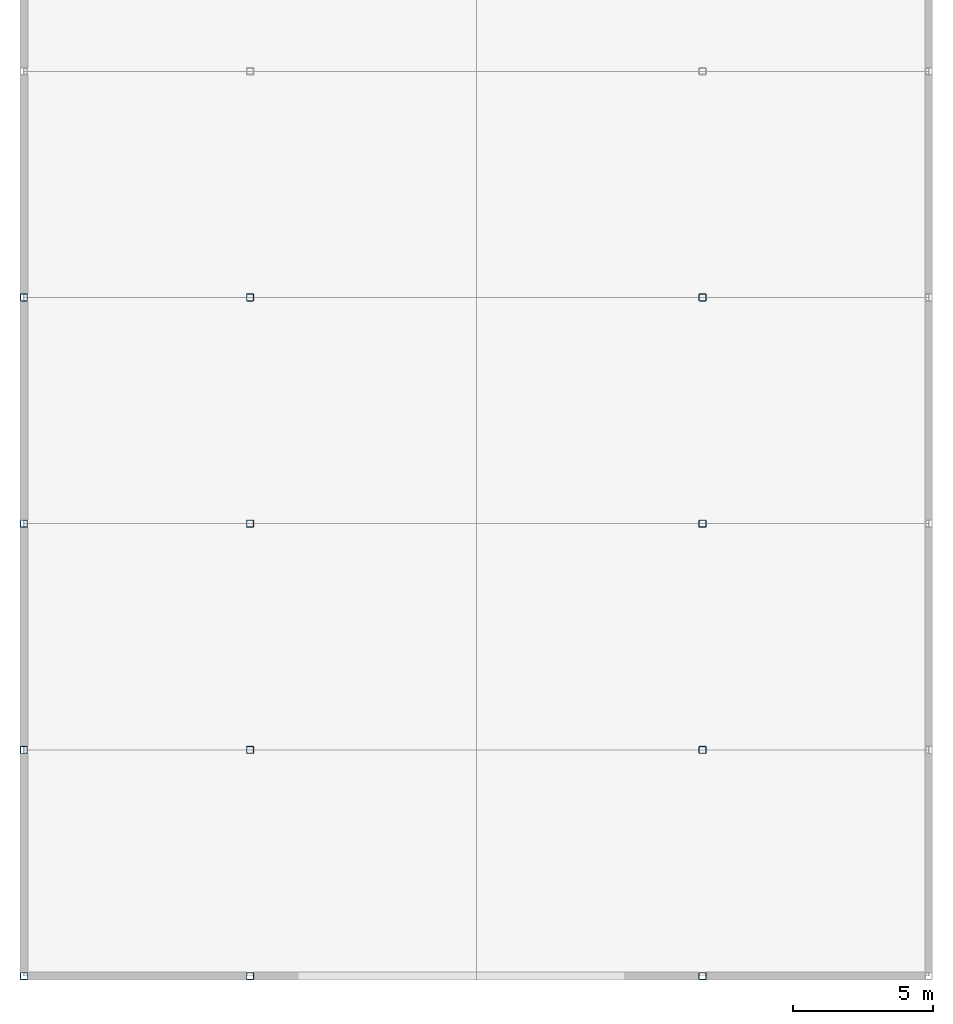
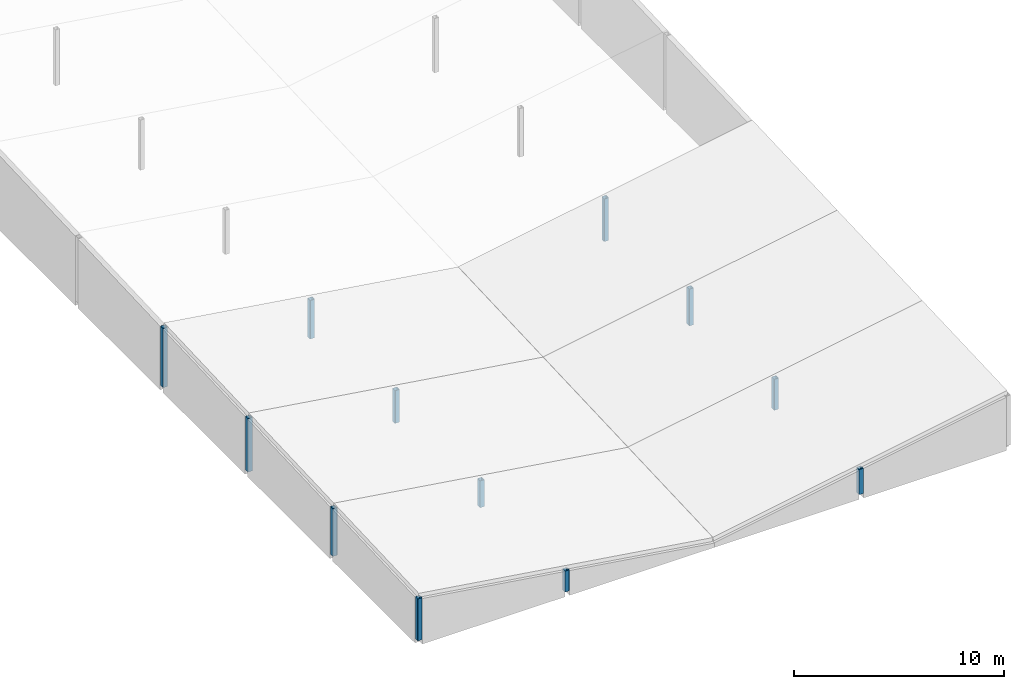
# One storey, part 1 of 8: 12 columns.
"""IFC4 building model written with IfcOpenShell, lengths in metres."""

from ifc_helpers import new_model, si_unit, direction, frame, origin, origin_2d, place, context, subcontext, project, spatial, hollow_rectangle, extrude, material, material_profile, profile_set, type_object, element, save


model = new_model("IFC4")

# Units and contexts
model_context = context("Model", 3, precision=1e-05, world=origin(), true_north=direction((0.0, 1.0)))
body_context = subcontext(model_context, "Body", "Model", "MODEL_VIEW")
ifc_project = project(units=[si_unit("LENGTHUNIT", "METRE"), si_unit("AREAUNIT", "SQUARE_METRE"), si_unit("VOLUMEUNIT", "CUBIC_METRE"), si_unit("PLANEANGLEUNIT", "RADIAN"), si_unit("MASSUNIT", "GRAM", prefix="KILO")], contexts=[model_context])

# Site, building, storey
site_placement = place(None, origin())
site = spatial("IfcSite", under=ifc_project, at=site_placement, CompositionType="ELEMENT")
building_placement = place(site_placement, origin())
building = spatial("IfcBuilding", under=site, at=building_placement, Name="Vaudrelin Polytechnic", CompositionType="ELEMENT")
storey_placement = place(building_placement, frame((0.0, 0.0, 36.2099609375)))
storey = spatial("IfcBuildingStorey", under=building, at=storey_placement, Name="ROOF", CompositionType="ELEMENT", Elevation=36.2099609375)

# Columns
ifc_material = material(Name="Steel CSA G40.21 350W", Category="steel")
ifc_material_profile = material_profile(ifc_material, hollow_rectangle(XDim=0.25390625, YDim=0.25390625, WallThickness=0.0126953125, InnerFilletRadius=0.0126953125, OuterFilletRadius=0.025390625, at=origin_2d()), Name="HSS254x254x12.7")
ifc_profile_set = profile_set([ifc_material_profile], Name="Steel CSA G40.21 350W")
column_type = type_object("IfcColumnType", Name="COL-C-HSS254", PredefinedType="COLUMN", material=ifc_profile_set)
column_1_placement = place(storey_placement, frame((137.699951171875, 32.39990234375, 0.0), z_axis=(0.0, 0.0, 1.0), x_axis=(1.0, 0.0, 0.0)))
element("IfcColumn", 1, at=column_1_placement, inside=storey, type_object=column_type, Name="Laboratory roof edge post 17-4", PredefinedType="COLUMN", context=body_context, shape_type="SweptSolid", body=[
    extrude(hollow_rectangle(XDim=0.25390625, YDim=0.25390625, WallThickness=0.0126953125, InnerFilletRadius=0.0126953125, OuterFilletRadius=0.025390625, at=origin_2d()), origin(), (0.0, 0.0, 1.0), 2.43115234375),
])
column_2_placement = place(storey_placement, frame((145.800048828125, 32.39990234375, 0.0), z_axis=(0.0, 0.0, 1.0), x_axis=(1.0, 0.0, 0.0)))
element("IfcColumn", 2, at=column_2_placement, inside=storey, type_object=column_type, Name="Laboratory roof edge post 18-4", PredefinedType="COLUMN", context=body_context, shape_type="SweptSolid", body=[
    extrude(hollow_rectangle(XDim=0.25390625, YDim=0.25390625, WallThickness=0.0126953125, InnerFilletRadius=0.0126953125, OuterFilletRadius=0.025390625, at=origin_2d()), origin(), (0.0, 0.0, 1.0), 1.220458984375),
])
column_3_placement = place(storey_placement, frame((162.0, 32.39990234375, 0.0), z_axis=(0.0, 0.0, 1.0), x_axis=(1.0, 0.0, 0.0)))
element("IfcColumn", 3, at=column_3_placement, inside=storey, type_object=column_type, Name="Laboratory roof edge post 20-4", PredefinedType="COLUMN", context=body_context, shape_type="SweptSolid", body=[
    extrude(hollow_rectangle(XDim=0.25390625, YDim=0.25390625, WallThickness=0.0126953125, InnerFilletRadius=0.0126953125, OuterFilletRadius=0.025390625, at=origin_2d()), origin(), (0.0, 0.0, 1.0), 1.46044921875),
])
column_4_placement = place(storey_placement, frame((137.699951171875, 40.5, 0.0), z_axis=(0.0, 0.0, 1.0), x_axis=(1.0, 0.0, 0.0)))
element("IfcColumn", 4, at=column_4_placement, inside=storey, type_object=column_type, Name="Laboratory roof edge post 17-5", PredefinedType="COLUMN", context=body_context, shape_type="SweptSolid", body=[
    extrude(hollow_rectangle(XDim=0.25390625, YDim=0.25390625, WallThickness=0.0126953125, InnerFilletRadius=0.0126953125, OuterFilletRadius=0.025390625, at=origin_2d()), origin(), (0.0, 0.0, 1.0), 2.771240234375),
])
column_5_placement = place(storey_placement, frame((145.800048828125, 40.5, 0.0), z_axis=(0.0, 0.0, 1.0), x_axis=(1.0, 0.0, 0.0)))
element("IfcColumn", 5, at=column_5_placement, inside=storey, type_object=column_type, Name="Laboratory roof edge post 18-5", PredefinedType="COLUMN", context=body_context, shape_type="SweptSolid", body=[
    extrude(hollow_rectangle(XDim=0.25390625, YDim=0.25390625, WallThickness=0.0126953125, InnerFilletRadius=0.0126953125, OuterFilletRadius=0.025390625, at=origin_2d()), origin(), (0.0, 0.0, 1.0), 1.560791015625),
])
column_6_placement = place(storey_placement, frame((162.0, 40.5, 0.0), z_axis=(0.0, 0.0, 1.0), x_axis=(1.0, 0.0, 0.0)))
element("IfcColumn", 6, at=column_6_placement, inside=storey, type_object=column_type, Name="Laboratory roof edge post 20-5", PredefinedType="COLUMN", context=body_context, shape_type="SweptSolid", body=[
    extrude(hollow_rectangle(XDim=0.25390625, YDim=0.25390625, WallThickness=0.0126953125, InnerFilletRadius=0.0126953125, OuterFilletRadius=0.025390625, at=origin_2d()), origin(), (0.0, 0.0, 1.0), 1.80078125),
])
column_7_placement = place(storey_placement, frame((137.699951171875, 48.60009765625, 0.0), z_axis=(0.0, 0.0, 1.0), x_axis=(1.0, 0.0, 0.0)))
element("IfcColumn", 7, at=column_7_placement, inside=storey, type_object=column_type, Name="Laboratory roof edge post 17-6", PredefinedType="COLUMN", context=body_context, shape_type="SweptSolid", body=[
    extrude(hollow_rectangle(XDim=0.25390625, YDim=0.25390625, WallThickness=0.0126953125, InnerFilletRadius=0.0126953125, OuterFilletRadius=0.025390625, at=origin_2d()), origin(), (0.0, 0.0, 1.0), 3.111572265625),
])
column_8_placement = place(storey_placement, frame((145.800048828125, 48.60009765625, 0.0), z_axis=(0.0, 0.0, 1.0), x_axis=(1.0, 0.0, 0.0)))
element("IfcColumn", 8, at=column_8_placement, inside=storey, type_object=column_type, Name="Laboratory roof edge post 18-6", PredefinedType="COLUMN", context=body_context, shape_type="SweptSolid", body=[
    extrude(hollow_rectangle(XDim=0.25390625, YDim=0.25390625, WallThickness=0.0126953125, InnerFilletRadius=0.0126953125, OuterFilletRadius=0.025390625, at=origin_2d()), origin(), (0.0, 0.0, 1.0), 1.90087890625),
])
column_9_placement = place(storey_placement, frame((162.0, 48.60009765625, 0.0), z_axis=(0.0, 0.0, 1.0), x_axis=(1.0, 0.0, 0.0)))
element("IfcColumn", 9, at=column_9_placement, inside=storey, type_object=column_type, Name="Laboratory roof edge post 20-6", PredefinedType="COLUMN", context=body_context, shape_type="SweptSolid", body=[
    extrude(hollow_rectangle(XDim=0.25390625, YDim=0.25390625, WallThickness=0.0126953125, InnerFilletRadius=0.0126953125, OuterFilletRadius=0.025390625, at=origin_2d()), origin(), (0.0, 0.0, 1.0), 2.140869140625),
])
column_10_placement = place(storey_placement, frame((137.699951171875, 56.699951171875, 0.0), z_axis=(0.0, 0.0, 1.0), x_axis=(1.0, 0.0, 0.0)))
element("IfcColumn", 10, at=column_10_placement, inside=storey, type_object=column_type, Name="Laboratory roof edge post 17-7", PredefinedType="COLUMN", context=body_context, shape_type="SweptSolid", body=[
    extrude(hollow_rectangle(XDim=0.25390625, YDim=0.25390625, WallThickness=0.0126953125, InnerFilletRadius=0.0126953125, OuterFilletRadius=0.025390625, at=origin_2d()), origin(), (0.0, 0.0, 1.0), 3.45166015625),
])
column_11_placement = place(storey_placement, frame((145.800048828125, 56.699951171875, 0.0), z_axis=(0.0, 0.0, 1.0), x_axis=(1.0, 0.0, 0.0)))
element("IfcColumn", 11, at=column_11_placement, inside=storey, type_object=column_type, Name="Laboratory roof edge post 18-7", PredefinedType="COLUMN", context=body_context, shape_type="SweptSolid", body=[
    extrude(hollow_rectangle(XDim=0.25390625, YDim=0.25390625, WallThickness=0.0126953125, InnerFilletRadius=0.0126953125, OuterFilletRadius=0.025390625, at=origin_2d()), origin(), (0.0, 0.0, 1.0), 2.2412109375),
])
column_12_placement = place(storey_placement, frame((162.0, 56.699951171875, 0.0), z_axis=(0.0, 0.0, 1.0), x_axis=(1.0, 0.0, 0.0)))
element("IfcColumn", 12, at=column_12_placement, inside=storey, type_object=column_type, Name="Laboratory roof edge post 20-7", PredefinedType="COLUMN", context=body_context, shape_type="SweptSolid", body=[
    extrude(hollow_rectangle(XDim=0.25390625, YDim=0.25390625, WallThickness=0.0126953125, InnerFilletRadius=0.0126953125, OuterFilletRadius=0.025390625, at=origin_2d()), origin(), (0.0, 0.0, 1.0), 2.481201171875),
])

save(model, "model.ifc")
